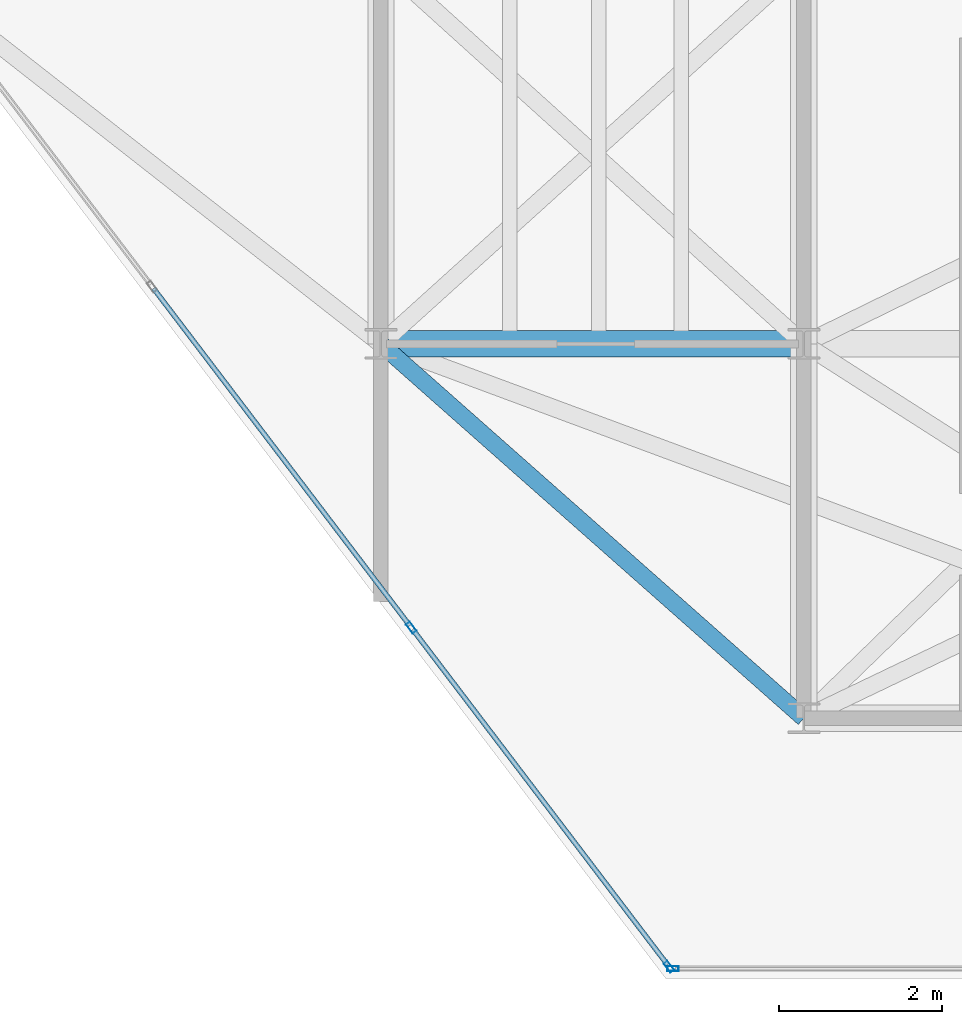
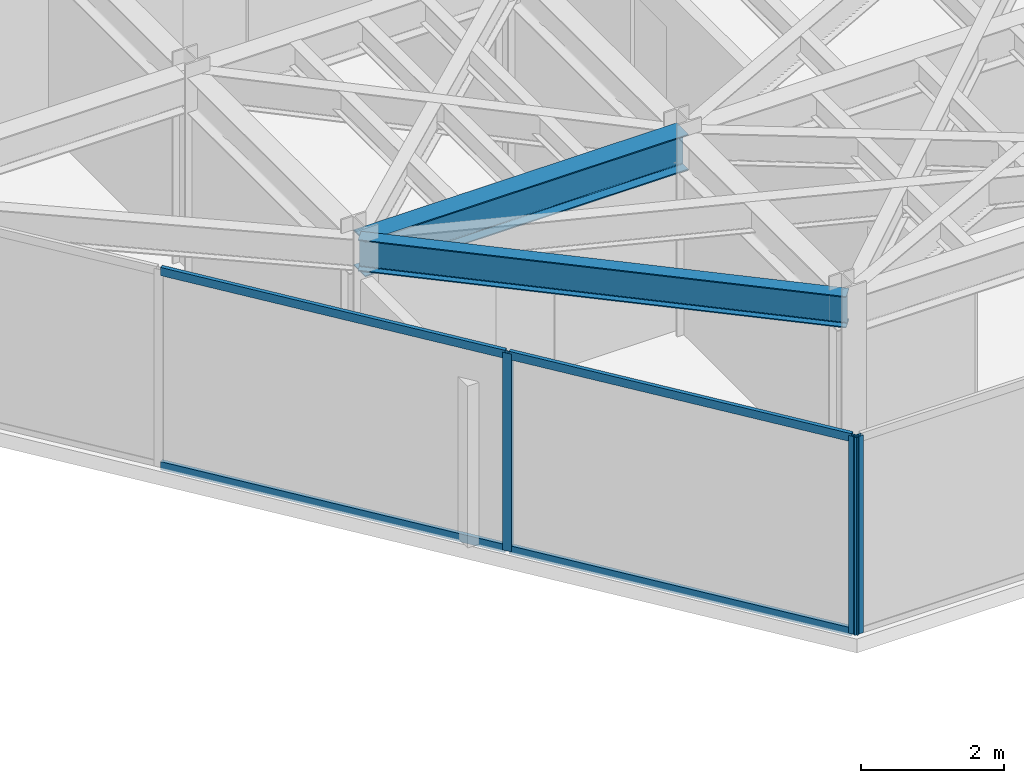
# One storey, part 5 of 17: 7 members, 2 beams, 2 elements without a shape of their own.
"""IFC4 building model written with IfcOpenShell, lengths in metres."""

from ifc_helpers import new_model, si_unit, direction, frame, origin, origin_2d, place, context, subcontext, project, spatial, hollow_rectangle, i_section, extrude, material, layer, layer_set, material_profile, profile_set, type_object, element, aggregate, save


model = new_model("IFC4")

# Units and contexts
model_context = context("Model", 3, precision=1e-05, world=origin(), true_north=direction((0.0, 1.0)))
body_context = subcontext(model_context, "Body", "Model", "MODEL_VIEW")
ifc_project = project(units=[si_unit("LENGTHUNIT", "METRE"), si_unit("AREAUNIT", "SQUARE_METRE"), si_unit("VOLUMEUNIT", "CUBIC_METRE"), si_unit("PLANEANGLEUNIT", "RADIAN"), si_unit("MASSUNIT", "GRAM", prefix="KILO")], contexts=[model_context])

# Site, building, storey
site_placement = place(None, origin())
site = spatial("IfcSite", under=ifc_project, at=site_placement, CompositionType="ELEMENT")
building_placement = place(site_placement, origin())
building = spatial("IfcBuilding", under=site, at=building_placement, Name="Kravanh Interchange Tower", CompositionType="ELEMENT")
storey_placement = place(building_placement, frame((0.0, 0.0, 285.89990234375)))
storey = spatial("IfcBuildingStorey", under=building, at=storey_placement, Name="L70", CompositionType="ELEMENT", Elevation=285.89990234375)

# Curtain wall, member
ifc_material_1 = material(Name="Anodised Bronze Aluminium", Category="aluminium")
ifc_layer = layer(ifc_material_1, 0.179931640625)
ifc_layer_set = layer_set([ifc_layer], Name="Unitised Curtain Wall System CW-HTL Luxury Hotel")
curtain_wall_type = type_object("IfcCurtainWallType", Name="Unitised Curtain Wall System CW-HTL Luxury Hotel", PredefinedType="NOTDEFINED", material=ifc_layer_set)
curtain_wall_1_placement = place(storey_placement, origin())
curtain_wall_1 = element("IfcCurtainWall", 1, at=curtain_wall_1_placement, inside=storey, type_object=curtain_wall_type, Name="L70 Unitised Curtain Wall CW-L70-03", PredefinedType="NOTDEFINED")
ifc_material_2 = material(Name="Anodised Bronze Aluminium", Category="aluminium")
ifc_material_profile_1 = material_profile(ifc_material_2, hollow_rectangle(XDim=0.06005859375, YDim=0.139892578125, WallThickness=0.00390625, at=origin_2d()), Name="ALU60X140X4")
ifc_profile_set_1 = profile_set([ifc_material_profile_1], Name="Anodised Bronze Aluminium")
member_type_1 = type_object("IfcMemberType", Name="Curtain Wall Mullion ALU60X140X4 Bronze", PredefinedType="MULLION", material=ifc_profile_set_1)
member_1_placement = place(storey_placement, frame((54.389404296875, 19.1201171875, 0.0), z_axis=(0.0, 0.0, 1.0), x_axis=(0.0, -1.0, 0.0)))
member_1 = element("IfcMember", 2, at=member_1_placement, type_object=member_type_1, Name="CW-HTL mullion 3", PredefinedType="MULLION", context=body_context, shape_type="SweptSolid", body=[
    extrude(hollow_rectangle(XDim=0.06005859375, YDim=0.139892578125, WallThickness=0.00390625, at=origin_2d()), origin(), (0.0, 0.0, 1.0), 3.364990234375),
])
aggregate(curtain_wall_1, [member_1])

# Curtain wall, members
curtain_wall_2_placement = place(storey_placement, origin())
curtain_wall_2 = element("IfcCurtainWall", 3, at=curtain_wall_2_placement, inside=storey, type_object=curtain_wall_type, Name="L70 Unitised Curtain Wall CW-L70-04", PredefinedType="NOTDEFINED")
member_2_placement = place(storey_placement, frame((54.34130859375, 19.143798828125, 0.0), z_axis=(0.0, 0.0, 1.0), x_axis=(-0.79616243806, -0.605082946564, 0.0)))
member_2 = element("IfcMember", 4, at=member_2_placement, type_object=member_type_1, Name="CW-HTL mullion 1", PredefinedType="MULLION", context=body_context, shape_type="SweptSolid", body=[
    extrude(hollow_rectangle(XDim=0.06005859375, YDim=0.139892578125, WallThickness=0.00390625, at=origin_2d()), origin(), (0.0, 0.0, 1.0), 3.364990234375),
])
member_3_placement = place(storey_placement, frame((51.173095703125, 23.312744140625, 0.0), z_axis=(0.0, 0.0, 1.0), x_axis=(-0.79616243806, -0.605082946564, 0.0)))
member_3 = element("IfcMember", 5, at=member_3_placement, type_object=member_type_1, Name="CW-HTL mullion 2", PredefinedType="MULLION", context=body_context, shape_type="SweptSolid", body=[
    extrude(hollow_rectangle(XDim=0.06005859375, YDim=0.139892578125, WallThickness=0.00390625, at=origin_2d()), origin(), (0.0, 0.0, 1.0), 3.364990234375),
])
ifc_material_3 = material(Name="Anodised Bronze Aluminium", Category="aluminium")
ifc_material_profile_2 = material_profile(ifc_material_3, hollow_rectangle(XDim=0.06005859375, YDim=0.139892578125, WallThickness=0.00390625, at=origin_2d()), Name="ALU60X140X4")
ifc_profile_set_2 = profile_set([ifc_material_profile_2], Name="Anodised Bronze Aluminium")
member_type_2 = type_object("IfcMemberType", Name="Curtain Wall Transom ALU60X140X4 Bronze", PredefinedType="USERDEFINED", material=ifc_profile_set_2)
member_4_placement = place(storey_placement, frame((54.3232421875, 19.167724609375, 0.030029296875), z_axis=(-0.605089246946, 0.796157649734, 0.0), x_axis=(-0.796157649734, -0.605089246946, 0.0)))
member_4 = element("IfcMember", 6, at=member_4_placement, type_object=member_type_2, Name="CW-HTL transom 1.1", ObjectType="TRANSOM", PredefinedType="USERDEFINED", context=body_context, shape_type="SweptSolid", body=[
    extrude(hollow_rectangle(XDim=0.06005859375, YDim=0.139892578125, WallThickness=0.00390625, at=origin_2d()), origin(), (0.0, 0.0, 1.0), 5.17626953125),
])
member_5_placement = place(storey_placement, frame((54.3232421875, 19.167724609375, 3.335205078125), z_axis=(-0.605089246946, 0.796157649734, 0.0), x_axis=(-0.796157649734, -0.605089246946, 0.0)))
member_5 = element("IfcMember", 7, at=member_5_placement, type_object=member_type_2, Name="CW-HTL transom 1.2", ObjectType="TRANSOM", PredefinedType="USERDEFINED", context=body_context, shape_type="SweptSolid", body=[
    extrude(hollow_rectangle(XDim=0.06005859375, YDim=0.139892578125, WallThickness=0.00390625, at=origin_2d()), origin(), (0.0, 0.0, 1.0), 5.17626953125),
])
member_6_placement = place(storey_placement, frame((51.15478515625, 23.336669921875, 0.030029296875), z_axis=(-0.605074944506, 0.796168519555, 0.0), x_axis=(-0.796168519555, -0.605074944506, 0.0)))
member_6 = element("IfcMember", 8, at=member_6_placement, type_object=member_type_2, Name="CW-HTL transom 2.1", ObjectType="TRANSOM", PredefinedType="USERDEFINED", context=body_context, shape_type="SweptSolid", body=[
    extrude(hollow_rectangle(XDim=0.06005859375, YDim=0.139892578125, WallThickness=0.00390625, at=origin_2d()), origin(), (0.0, 0.0, 1.0), 5.206298828125),
])
member_7_placement = place(storey_placement, frame((51.15478515625, 23.336669921875, 3.335205078125), z_axis=(-0.605074944506, 0.796168519555, 0.0), x_axis=(-0.796168519555, -0.605074944506, 0.0)))
member_7 = element("IfcMember", 9, at=member_7_placement, type_object=member_type_2, Name="CW-HTL transom 2.2", ObjectType="TRANSOM", PredefinedType="USERDEFINED", context=body_context, shape_type="SweptSolid", body=[
    extrude(hollow_rectangle(XDim=0.06005859375, YDim=0.139892578125, WallThickness=0.00390625, at=origin_2d()), origin(), (0.0, 0.0, 1.0), 5.206298828125),
])
aggregate(curtain_wall_2, [member_2, member_3, member_4, member_5, member_6, member_7])

# Beams
ifc_material_4 = material(Name="Structural Steel S355", Category="steel")
ifc_material_profile_3 = material_profile(ifc_material_4, i_section(OverallWidth=0.323974609375, OverallDepth=0.611083984375, WebThickness=0.0126953125, FlangeThickness=0.01904296875, FilletRadius=0.02197265625, at=origin_2d()), Name="W24X104")
ifc_profile_set_3 = profile_set([ifc_material_profile_3], Name="Structural Steel S355")
beam_type_1 = type_object("IfcBeamType", Name="Floor Beam W24X104 Structural Steel S355", PredefinedType="BEAM", material=ifc_profile_set_3)
beam_1_placement = place(storey_placement, frame((50.800048828125, 26.800048828125, 3.0595703125), z_axis=(1.0, 0.0, 0.0), x_axis=(0.0, 1.0, 0.0)))
element("IfcBeam", 10, at=beam_1_placement, inside=storey, type_object=beam_type_1, Name="L70 Primary Floor Girder 25", PredefinedType="BEAM", context=body_context, shape_type="SweptSolid", body=[
    extrude(i_section(OverallWidth=0.323974609375, OverallDepth=0.611083984375, WebThickness=0.0126953125, FlangeThickness=0.01904296875, FilletRadius=0.02197265625, at=origin_2d()), origin(), (0.0, 0.0, 1.0), 5.199951171875),
])
ifc_material_5 = material(Name="Structural Steel S355", Category="steel")
ifc_material_profile_4 = material_profile(ifc_material_5, i_section(OverallWidth=0.2099609375, OverallDepth=0.537109375, WebThickness=0.010986328125, FlangeThickness=0.017333984375, FilletRadius=0.02001953125, at=origin_2d()), Name="W21X68")
ifc_profile_set_4 = profile_set([ifc_material_profile_4], Name="Structural Steel S355")
beam_type_2 = type_object("IfcBeamType", Name="Floor Spandrel W21X68 Structural Steel S355", PredefinedType="SPANDREL", material=ifc_profile_set_4)
beam_2_placement = place(storey_placement, frame((50.800048828125, 26.800048828125, 3.0966796875), z_axis=(0.74898649432, -0.662585263439, 0.0), x_axis=(0.662585263439, 0.74898649432, 0.0)))
element("IfcBeam", 11, at=beam_2_placement, inside=storey, type_object=beam_type_2, Name="L70 Perimeter Spandrel 26", PredefinedType="SPANDREL", context=body_context, shape_type="SweptSolid", body=[
    extrude(i_section(OverallWidth=0.2099609375, OverallDepth=0.537109375, WebThickness=0.010986328125, FlangeThickness=0.017333984375, FilletRadius=0.02001953125, at=origin_2d()), origin(), (0.0, 0.0, 1.0), 6.942626953125),
])

save(model, "model.ifc")
